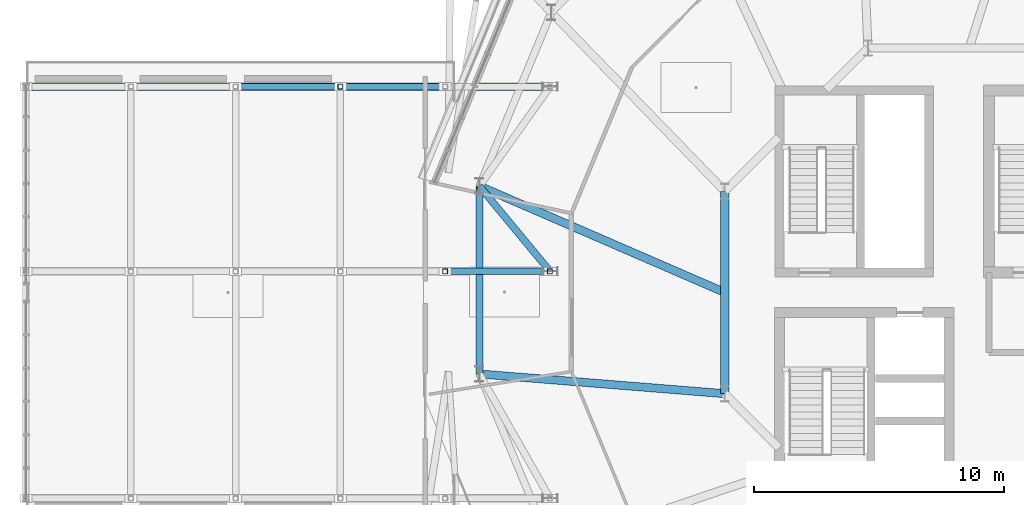
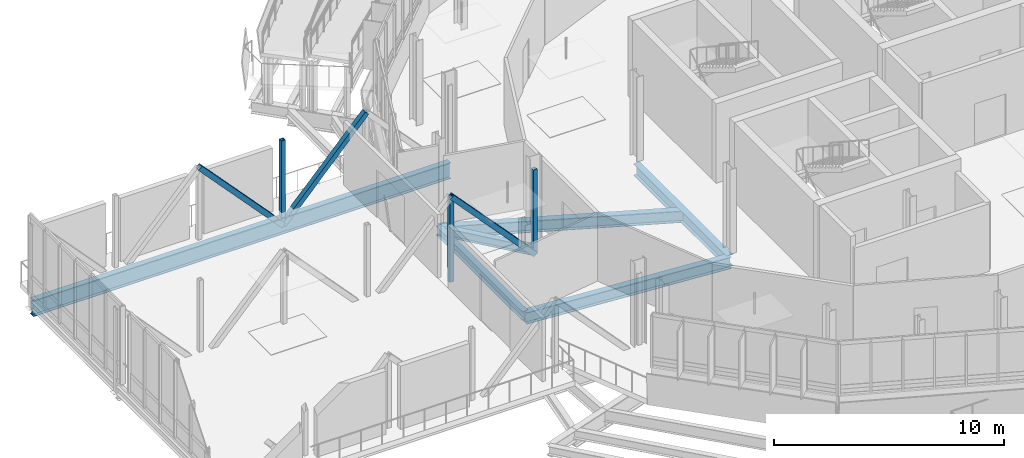
# One storey, part 51 of 139: 6 beams, 6 members.
"""IFC4 building model written with IfcOpenShell, lengths in metres."""

from ifc_helpers import new_model, si_unit, derived_unit, direction, frame, origin, origin_2d, place, context, subcontext, project, spatial, hollow_rectangle, i_section, extrude, material, material_profile, profile_set, type_object, element, save


model = new_model("IFC4")

# Units and contexts
model_context = context("Model", 3, precision=1e-05, world=origin(), true_north=direction((0.0, 1.0)))
body_context = subcontext(model_context, "Body", "Model", "MODEL_VIEW")
ifc_project = project(units=[si_unit("LENGTHUNIT", "METRE"), si_unit("AREAUNIT", "SQUARE_METRE"), si_unit("VOLUMEUNIT", "CUBIC_METRE"), si_unit("PLANEANGLEUNIT", "RADIAN"), si_unit("MASSUNIT", "GRAM", prefix="KILO"), derived_unit("THERMALTRANSMITTANCEUNIT", [(si_unit("MASSUNIT", "GRAM", prefix="KILO"), 1), (si_unit("TIMEUNIT", "SECOND"), -3), (si_unit("THERMODYNAMICTEMPERATUREUNIT", "KELVIN"), -1)])], contexts=[model_context])

# Site, building, storey
site_placement = place(None, origin())
site = spatial("IfcSite", under=ifc_project, at=site_placement, CompositionType="ELEMENT")
building_placement = place(site_placement, origin())
building = spatial("IfcBuilding", under=site, at=building_placement, Name="Makaiwela Harbour Ferry Terminal", CompositionType="ELEMENT")
storey_placement = place(building_placement, frame((0.0, 0.0, 5.10009765625)))
storey = spatial("IfcBuildingStorey", under=building, at=storey_placement, Name="L01", CompositionType="ELEMENT", Elevation=5.10009765625)

# Beam
ifc_material_1 = material(Name="Steel ASTM A992 Grade 50", Category="steel")
ifc_material_profile_1 = material_profile(ifc_material_1, i_section(OverallWidth=0.280029296875, OverallDepth=0.462890625, WebThickness=0.0107421875, FlangeThickness=0.017333984375, at=origin_2d()), Name="W18X76")
ifc_profile_set_1 = profile_set([ifc_material_profile_1], Name="Steel ASTM A992 Grade 50")
beam_type_1 = type_object("IfcBeamType", Name="STR-BM-W18X76", PredefinedType="BEAM", material=ifc_profile_set_1)
beam_1_placement = place(storey_placement, frame((21.0, 68.449951171875, -0.51171875), z_axis=(-0.637923666825, 0.770099600899, 0.0), x_axis=(-0.770099600899, -0.637923666825, 0.0)))
element("IfcBeam", 1, at=beam_1_placement, inside=storey, type_object=beam_type_1, Name="West bridge drum tie 119", PredefinedType="BEAM", context=body_context, shape_type="SweptSolid", body=[
    extrude(i_section(OverallWidth=0.280029296875, OverallDepth=0.462890625, WebThickness=0.0107421875, FlangeThickness=0.017333984375, at=origin_2d()), origin(), (0.0, 0.0, 1.0), 4.434814453125),
])

# Members
ifc_material_2 = material(Name="Steel ASTM A500 Grade C", Category="steel")
ifc_material_profile_2 = material_profile(ifc_material_2, hollow_rectangle(XDim=0.25390625, YDim=0.25390625, WallThickness=0.0146484375, at=origin_2d()), Name="HSS10X10X5/8")
ifc_profile_set_2 = profile_set([ifc_material_profile_2], Name="Steel ASTM A500 Grade C")
member_type_1 = type_object("IfcMemberType", Name="STR-BRC-HSS10", PredefinedType="BRACE", material=ifc_profile_set_2)
for number, where, z_axis, x_axis, name in (
    (2, (21.0, 68.449951171875, -0.70556640625), (-0.680693892275, 0.0, 0.732567966144), (0.0, -1.0, 0.0), "Structural Member BR-01"),
    (3, (16.800048828125, 75.85009765625, 3.814453125), (-0.680693892275, 0.0, -0.732567966144), (0.0, -1.0, 0.0), "Structural Member BR-01"),
    (4, (12.60009765625, 75.85009765625, -0.70556640625), (-0.680715125989, 0.0, 0.732548235443), (0.0, -1.0, 0.0), "Structural Member BR-01"),
):
    element("IfcMember", number, at=place(storey_placement, frame(where, z_axis=z_axis, x_axis=x_axis)), inside=storey, type_object=member_type_1, Name=name, PredefinedType="BRACE", context=body_context, shape_type="SweptSolid", body=[
        extrude(hollow_rectangle(XDim=0.25390625, YDim=0.25390625, WallThickness=0.0146484375, at=origin_2d()), origin(), (0.0, 0.0, 1.0), 6.170166015625),
    ])

# Beams
ifc_material_profile_3 = material_profile(ifc_material_1, i_section(OverallWidth=0.324951171875, OverallDepth=0.615966796875, WebThickness=0.013916015625, FlangeThickness=0.021484375, at=origin_2d()), Name="W24X117")
ifc_profile_set_3 = profile_set([ifc_material_profile_3], Name="Steel ASTM A992 Grade 50")
beam_type_2 = type_object("IfcBeamType", Name="STR-GRD-W24X117", PredefinedType="USERDEFINED", material=ifc_profile_set_3)
beam_2_placement = place(storey_placement, frame((28.0068359375, 71.656494140625, -0.588134765625), z_axis=(0.0, -1.0, 0.0), x_axis=(1.0, 0.0, 0.0)))
element("IfcBeam", 5, at=beam_2_placement, inside=storey, type_object=beam_type_2, Name="Drum inner ring girder 6", ObjectType="GIRDER", PredefinedType="USERDEFINED", context=body_context, shape_type="SweptSolid", body=[
    extrude(i_section(OverallWidth=0.324951171875, OverallDepth=0.615966796875, WebThickness=0.013916015625, FlangeThickness=0.021484375, at=origin_2d()), origin(), (0.0, 0.0, 1.0), 8.11279296875),
])
beam_3_placement = place(storey_placement, frame((28.0068359375, 67.60009765625, -0.588134765625), z_axis=(-0.91745700874, 0.397834937021, 0.0), x_axis=(-0.397834937021, -0.91745700874, 0.0)))
element("IfcBeam", 6, at=beam_3_placement, inside=storey, type_object=beam_type_2, Name="Drum radial girder 53", ObjectType="GIRDER", PredefinedType="USERDEFINED", context=body_context, shape_type="SweptSolid", body=[
    extrude(i_section(OverallWidth=0.324951171875, OverallDepth=0.615966796875, WebThickness=0.013916015625, FlangeThickness=0.021484375, at=origin_2d()), origin(), (0.0, 0.0, 1.0), 10.720947265625),
])
beam_4_placement = place(storey_placement, frame((28.0068359375, 63.543701171875, -0.588134765625), z_axis=(-0.996781835671, 0.080162161129, 0.0), x_axis=(-0.080162161129, -0.996781835671, 0.0)))
element("IfcBeam", 7, at=beam_4_placement, inside=storey, type_object=beam_type_2, Name="Drum radial girder 54", ObjectType="GIRDER", PredefinedType="USERDEFINED", context=body_context, shape_type="SweptSolid", body=[
    extrude(i_section(OverallWidth=0.324951171875, OverallDepth=0.615966796875, WebThickness=0.013916015625, FlangeThickness=0.021484375, at=origin_2d()), origin(), (0.0, 0.0, 1.0), 9.86767578125),
])
ifc_material_profile_4 = material_profile(ifc_material_1, i_section(OverallWidth=0.2939453125, OverallDepth=0.85107421875, WebThickness=0.01611328125, FlangeThickness=0.02685546875, at=origin_2d()), Name="W33X152")
ifc_profile_set_4 = profile_set([ifc_material_profile_4], Name="Steel ASTM A992 Grade 50")
beam_type_3 = type_object("IfcBeamType", Name="STR-GRD-W33X152", PredefinedType="USERDEFINED", material=ifc_profile_set_4)
beam_5_placement = place(storey_placement, frame((0.0, 75.85009765625, -0.70556640625), z_axis=(1.0, 0.0, 0.0), x_axis=(0.0, 1.0, 0.0)))
element("IfcBeam", 8, at=beam_5_placement, inside=storey, type_object=beam_type_3, Name="West bridge truss bottom chord 3", ObjectType="GIRDER", PredefinedType="USERDEFINED", context=body_context, shape_type="SweptSolid", body=[
    extrude(i_section(OverallWidth=0.2939453125, OverallDepth=0.85107421875, WebThickness=0.01611328125, FlangeThickness=0.02685546875, at=origin_2d()), origin(), (0.0, 0.0, 1.0), 21.0),
])

# Members
ifc_material_profile_5 = material_profile(ifc_material_2, hollow_rectangle(XDim=0.202880859375, YDim=0.202880859375, WallThickness=0.01171875, at=origin_2d()), Name="HSS8X8X1/2")
ifc_profile_set_5 = profile_set([ifc_material_profile_5], Name="Steel ASTM A500 Grade C")
member_type_2 = type_object("IfcMemberType", Name="STR-PST-HSS8", PredefinedType="POST", material=ifc_profile_set_5)
for number, where, z_axis, x_axis, name in (
    (9, (21.0, 68.449951171875, -0.70556640625), (0.0, 0.0, 1.0), (1.0, 0.0, 0.0), "Structural Member PS-01"),
    (10, (16.800048828125, 68.449951171875, -0.70556640625), (0.0, 0.0, 1.0), (1.0, 0.0, 0.0), "Structural Member PS-01"),
    (11, (12.60009765625, 75.85009765625, -0.70556640625), (0.0, 0.0, 1.0), (1.0, 0.0, 0.0), "Structural Member PS-01"),
):
    element("IfcMember", number, at=place(storey_placement, frame(where, z_axis=z_axis, x_axis=x_axis)), inside=storey, type_object=member_type_2, Name=name, PredefinedType="POST", context=body_context, shape_type="SweptSolid", body=[
        extrude(hollow_rectangle(XDim=0.202880859375, YDim=0.202880859375, WallThickness=0.01171875, at=origin_2d()), origin(), (0.0, 0.0, 1.0), 4.52001953125),
    ])

# Beam
ifc_material_profile_6 = material_profile(ifc_material_1, i_section(OverallWidth=0.283935546875, OverallDepth=0.47607421875, WebThickness=0.014892578125, FlangeThickness=0.02392578125, at=origin_2d()), Name="W18X106")
ifc_profile_set_6 = profile_set([ifc_material_profile_6], Name="Steel ASTM A992 Grade 50")
beam_type_4 = type_object("IfcBeamType", Name="STR-SPN-W18X106", PredefinedType="SPANDREL", material=ifc_profile_set_6)
beam_6_placement = place(storey_placement, frame((18.1708984375, 71.865234375, -0.51806640625), z_axis=(0.0, -1.0, 0.0), x_axis=(1.0, 0.0, 0.0)))
element("IfcBeam", 12, at=beam_6_placement, inside=storey, type_object=beam_type_4, Name="Drum column ring girder 19", PredefinedType="SPANDREL", context=body_context, shape_type="SweptSolid", body=[
    extrude(i_section(OverallWidth=0.283935546875, OverallDepth=0.47607421875, WebThickness=0.014892578125, FlangeThickness=0.02392578125, at=origin_2d()), origin(), (0.0, 0.0, 1.0), 7.530517578125),
])

save(model, "model.ifc")
